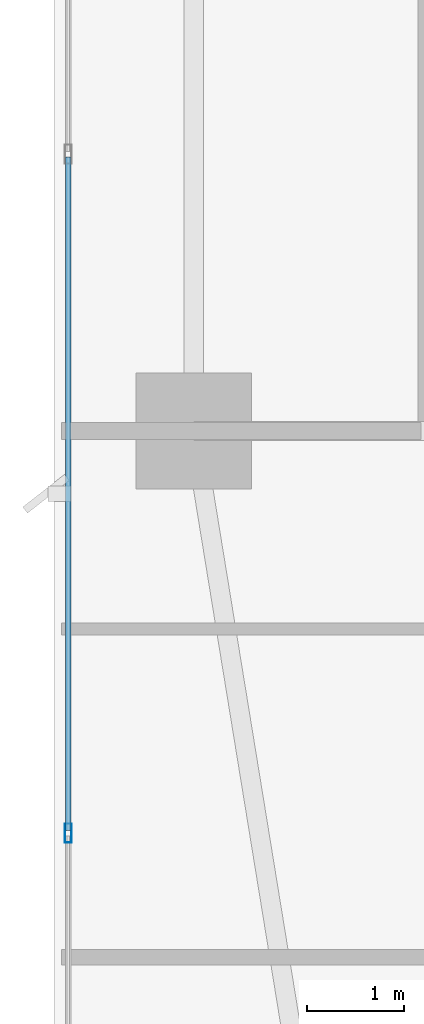
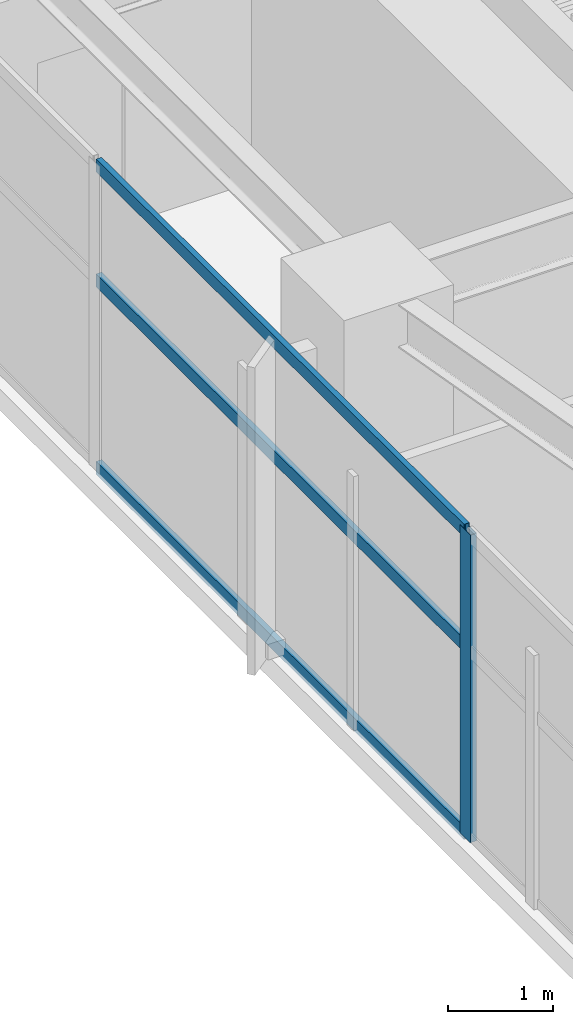
# One storey, part 4 of 29: 4 members, 1 element without a shape of its own.
"""IFC4 building model written with IfcOpenShell, lengths in metres."""

import ifcopenshell
import ifcopenshell.guid

model = None  # the IFC model being written
_history = None  # IfcOwnerHistory: only IFC2X3 demands one
_inside = {}  # id of a spatial element -> (the spatial element, [elements in it])
_under = {}  # id of a project, library or spatial element -> (it, [spatial elements below it])
_declared = {}  # id of a project -> (the project, [libraries it declares])
_typed = {}  # id of a type object -> (the type object, [elements of that type])
_made_of = {}  # id of a material, layer set ... -> (it, [elements and type objects made of it])


def new_model(schema):
    """Start an empty IFC model of exactly this schema.

    Asked for "IFC4X3", IfcOpenShell would pick the latest addendum, in which some entities
    have other attributes; the version numbers below select the first issue.
    IFC2X3 requires an IfcOwnerHistory on every rooted entity: one is made here for all.
    """
    global model, _history
    if schema == "IFC4X3":
        model = ifcopenshell.file(schema_version=(4, 3, 0, 0))
    else:
        model = ifcopenshell.file(schema=schema)
    _inside.clear()
    _under.clear()
    _declared.clear()
    _typed.clear()
    _made_of.clear()
    _history = None
    if model.schema == "IFC2X3":
        org = make("IfcOrganization", Name="unknown")
        user = make(
            "IfcPersonAndOrganization",
            ThePerson=make("IfcPerson", FamilyName="unknown"),
            TheOrganization=org,
        )
        app = make(
            "IfcApplication",
            ApplicationDeveloper=org,
            Version="unknown",
            ApplicationFullName="unknown",
            ApplicationIdentifier="unknown",
        )
        _history = make(
            "IfcOwnerHistory",
            OwningUser=user,
            OwningApplication=app,
            ChangeAction="ADDED",
            CreationDate=0,
        )
    return model


def make(cls, **values):
    """One entity of the class cls with the attributes given. An attribute that is None is left unset."""
    return model.create_entity(
        cls, **{name: value for name, value in values.items() if value is not None}
    )


def rooted(cls, **values):
    """An entity with a GlobalId (a new one), such as an element, a storey or a relation."""
    return make(cls, GlobalId=ifcopenshell.guid.new(), OwnerHistory=_history, **values)


def si_unit(unit_type, name, prefix=None):
    """IfcSIUnit, for example si_unit("LENGTHUNIT", "METRE", prefix="MILLI")."""
    return make("IfcSIUnit", UnitType=unit_type, Prefix=prefix, Name=name)


def assignment(units):
    """IfcUnitAssignment: the units of a project."""
    return None if units is None else make("IfcUnitAssignment", Units=units)


def point(xyz):
    """IfcCartesianPoint."""
    return None if xyz is None else make("IfcCartesianPoint", Coordinates=xyz)


def direction(xyz):
    """IfcDirection."""
    return None if xyz is None else make("IfcDirection", DirectionRatios=xyz)


def frame(location, z_axis=None, x_axis=None):
    """IfcAxis2Placement3D, a coordinate frame: its origin and axes. An axis left out is left unset."""
    return make(
        "IfcAxis2Placement3D",
        Location=point(location),
        Axis=direction(z_axis),
        RefDirection=direction(x_axis),
    )


def frame_2d(location, x_axis=None):
    """IfcAxis2Placement2D, a coordinate frame in the plane: its origin and x axis."""
    return make(
        "IfcAxis2Placement2D", Location=point(location), RefDirection=direction(x_axis)
    )


def origin():
    """The frame at (0, 0, 0) with its axes left unset."""
    return frame((0.0, 0.0, 0.0))


def origin_2d():
    """The frame at (0, 0) in the plane with its x axis left unset."""
    return frame_2d((0.0, 0.0))


def place(relative_to, where):
    """IfcLocalPlacement: puts the frame where relative to a parent placement (None: the world)."""
    return make(
        "IfcLocalPlacement", PlacementRelTo=relative_to, RelativePlacement=where
    )


def context(
    kind, dimensions, precision=None, world=None, true_north=None, identifier=None
):
    """IfcGeometricRepresentationContext, for example the 3D "Model" context."""
    return make(
        "IfcGeometricRepresentationContext",
        ContextIdentifier=identifier,
        ContextType=kind,
        CoordinateSpaceDimension=dimensions,
        Precision=precision,
        WorldCoordinateSystem=world,
        TrueNorth=true_north,
    )


def subcontext(parent, identifier, kind, view, scale=None):
    """IfcGeometricRepresentationSubContext, for example "Body" below "Model"."""
    return make(
        "IfcGeometricRepresentationSubContext",
        ContextIdentifier=identifier,
        ContextType=kind,
        ParentContext=parent,
        TargetScale=scale,
        TargetView=view,
    )


def project(units=None, contexts=None):
    """IfcProject with its units and contexts."""
    return rooted(
        "IfcProject",
        Name="project",
        RepresentationContexts=contexts,
        UnitsInContext=assignment(units),
    )


def spatial(cls, under=None, at=None, **own):
    """A site, building, storey or space (cls), placed at a placement, below another one or the project."""
    s = rooted(cls, ObjectPlacement=at, **own)
    if under is not None:
        _under.setdefault(under.id(), (under, []))[1].append(s)
    return s


def profile(cls, at=None, kind="AREA", **sizes):
    """A parametric profile (cls). Its sizes go by their IFC names, for example OverallWidth=200.0."""
    return make(cls, ProfileType=kind, Position=at, **sizes)


def hollow_rectangle(**sizes):
    """IfcRectangleHollowProfileDef."""
    return profile("IfcRectangleHollowProfileDef", **sizes)


def extrude(swept, where, along, depth):
    """IfcExtrudedAreaSolid: the profile swept, set in the frame where, extruded along a direction by depth."""
    return make(
        "IfcExtrudedAreaSolid",
        SweptArea=swept,
        Position=where,
        ExtrudedDirection=direction(along),
        Depth=depth,
    )


def shape(context_of_items, identifier, shape_type, items):
    """IfcShapeRepresentation: the items that make up one representation, for example the "Body"."""
    return make(
        "IfcShapeRepresentation",
        ContextOfItems=context_of_items,
        RepresentationIdentifier=identifier,
        RepresentationType=shape_type,
        Items=items,
    )


def material(Name=None, Category=None):
    """IfcMaterial."""
    return make("IfcMaterial", Name=Name, Category=Category)


def layer(
    of_material, thickness, ventilated=None, Name=None, Category=None, Priority=None
):
    """IfcMaterialLayer: one layer of a wall or slab, of a material (None: an air gap)."""
    return make(
        "IfcMaterialLayer",
        Material=of_material,
        LayerThickness=thickness,
        IsVentilated=ventilated,
        Name=Name,
        Category=Category,
        Priority=Priority,
    )


def layer_set(layers, Name=None):
    """IfcMaterialLayerSet."""
    return make("IfcMaterialLayerSet", MaterialLayers=layers, LayerSetName=Name)


def material_profile(
    of_material, cross_section, Name=None, Category=None, Priority=None
):
    """IfcMaterialProfile: a cross section and its material."""
    return make(
        "IfcMaterialProfile",
        Name=Name,
        Material=of_material,
        Profile=cross_section,
        Priority=Priority,
        Category=Category,
    )


def profile_set(profiles, Name=None, composite=None):
    """IfcMaterialProfileSet."""
    return make(
        "IfcMaterialProfileSet",
        Name=Name,
        MaterialProfiles=profiles,
        CompositeProfile=composite,
    )


def made_of(thing, what):
    """Note that an element or type object is made of a material, layer set ...; save() writes the relation."""
    if what is not None:
        _made_of.setdefault(what.id(), (what, []))[1].append(thing)
    return thing


def type_object(cls, material=None, **own):
    """A type object (cls), such as IfcWallType, which elements share."""
    return made_of(rooted(cls, **own), material)


def element(
    cls,
    number,
    at=None,
    inside=None,
    cuts=None,
    type_object=None,
    material=None,
    context=None,
    identifier="Body",
    shape_type=None,
    held_by="IfcProductDefinitionShape",
    body=None,
    shapes=None,
    **own,
):
    """One element of the class cls, such as IfcWall. Its Tag is "e" and its number.

    at: its placement. inside: the storey or other place that contains it. cuts: it is an
    opening in that element (IfcRelVoidsElement). A single representation is given by context,
    identifier, shape_type and body (its items); several are given by shapes. held_by: the class
    of the entity that holds the representations. save() writes the other relations.
    """
    e = rooted(cls, Tag="e%d" % number, ObjectPlacement=at, **own)
    if body is not None:
        shapes = [shape(context, identifier, shape_type, body)]
    if shapes is not None:
        e.Representation = make(held_by, Representations=shapes)
    if inside is not None:
        _inside.setdefault(inside.id(), (inside, []))[1].append(e)
    if cuts is not None:
        rooted(
            "IfcRelVoidsElement", RelatingBuildingElement=cuts, RelatedOpeningElement=e
        )
    if type_object is not None:
        _typed.setdefault(type_object.id(), (type_object, []))[1].append(e)
    return made_of(e, material)


def aggregate(whole, parts):
    """IfcRelAggregates: a whole, such as a stair, and the parts it consists of."""
    return rooted("IfcRelAggregates", RelatingObject=whole, RelatedObjects=parts)


def save(model, path):
    """Write the relations noted so far, then the file.

    IfcRelAggregates (storeys below a building ...), IfcRelContainedInSpatialStructure (elements
    in a storey), IfcRelDefinesByType, IfcRelAssociatesMaterial and IfcRelDeclares: one each for
    every whole, place, type object, material and project.
    """
    for whole, parts in _under.values():
        aggregate(whole, parts)
    for where, things in _inside.values():
        rooted(
            "IfcRelContainedInSpatialStructure",
            RelatedElements=things,
            RelatingStructure=where,
        )
    for kind, things in _typed.values():
        rooted("IfcRelDefinesByType", RelatedObjects=things, RelatingType=kind)
    for what, things in _made_of.values():
        rooted("IfcRelAssociatesMaterial", RelatedObjects=things, RelatingMaterial=what)
    for by, libraries in _declared.values():
        rooted("IfcRelDeclares", RelatingContext=by, RelatedDefinitions=libraries)
    model.write(path)


model = new_model("IFC4")

# Units and contexts
model_context = context("Model", 3, precision=1e-05, world=origin(), true_north=direction((0.0, 1.0)))
body_context = subcontext(model_context, "Body", "Model", "MODEL_VIEW")
ifc_project = project(units=[si_unit("LENGTHUNIT", "METRE"), si_unit("AREAUNIT", "SQUARE_METRE"), si_unit("VOLUMEUNIT", "CUBIC_METRE"), si_unit("PLANEANGLEUNIT", "RADIAN"), si_unit("MASSUNIT", "GRAM", prefix="KILO")], contexts=[model_context])

# Site, building, storey
site_placement = place(None, origin())
site = spatial("IfcSite", under=ifc_project, at=site_placement, CompositionType="ELEMENT")
building_placement = place(site_placement, origin())
building = spatial("IfcBuilding", under=site, at=building_placement, Name="Calvorn Quay Hotel", CompositionType="ELEMENT")
storey_placement = place(building_placement, frame((0.0, 0.0, 171.300048828125)))
storey = spatial("IfcBuildingStorey", under=building, at=storey_placement, Name="L42", CompositionType="ELEMENT", Elevation=171.300048828125)

# Curtain wall, members
ifc_material_1 = material(Name="Pale Anodised Aluminium and Low-E Glass", Category="aluminium")
ifc_layer = layer(ifc_material_1, 0.219970703125)
ifc_layer_set = layer_set([ifc_layer], Name="CW-SYS-Z2")
curtain_wall_type = type_object("IfcCurtainWallType", Name="CW-SYS-Z2", PredefinedType="NOTDEFINED", material=ifc_layer_set)
curtain_wall_placement = place(storey_placement, origin())
curtain_wall = element("IfcCurtainWall", 1, at=curtain_wall_placement, inside=storey, type_object=curtain_wall_type, Name="Tower West Curtain Wall (L42)", PredefinedType="NOTDEFINED")
ifc_material_2 = material(Name="Pale Anodised Aluminium 6063-T6", Category="aluminium")
ifc_material_profile_1 = material_profile(ifc_material_2, hollow_rectangle(XDim=0.070068359375, YDim=0.199951171875, WallThickness=0.00390625, at=origin_2d()), Name="ALU-M200x70x4")
ifc_profile_set_1 = profile_set([ifc_material_profile_1], Name="Pale Anodised Aluminium 6063-T6")
member_type_1 = type_object("IfcMemberType", Name="CW-SYS-Z2-MUL", PredefinedType="MULLION", material=ifc_profile_set_1)
member_1_placement = place(storey_placement, frame((0.14990234375, 12.63330078125, 0.0), z_axis=(0.0, 0.0, 1.0), x_axis=(-1.0, 0.0, 0.0)))
member_1 = element("IfcMember", 2, at=member_1_placement, type_object=member_type_1, Name="CW-L42-W mullion 2", PredefinedType="MULLION", context=body_context, shape_type="SweptSolid", body=[
    extrude(hollow_rectangle(XDim=0.070068359375, YDim=0.199951171875, WallThickness=0.00390625, at=origin_2d()), origin(), (0.0, 0.0, 1.0), 3.56005859375),
])
ifc_material_3 = material(Name="Pale Anodised Aluminium 6063-T6", Category="aluminium")
ifc_material_profile_2 = material_profile(ifc_material_3, hollow_rectangle(XDim=0.06005859375, YDim=0.14990234375, WallThickness=0.00341796875, at=origin_2d()), Name="ALU-T150x60x3.5")
ifc_profile_set_2 = profile_set([ifc_material_profile_2], Name="Pale Anodised Aluminium 6063-T6")
member_type_2 = type_object("IfcMemberType", Name="CW-SYS-Z2-TRN", PredefinedType="USERDEFINED", material=ifc_profile_set_2)
member_2_placement = place(storey_placement, frame((0.14990234375, 12.663330078125, 0.030029296875), z_axis=(0.0, 1.0, 0.0), x_axis=(-1.0, 0.0, 0.0)))
member_2 = element("IfcMember", 3, at=member_2_placement, type_object=member_type_2, Name="CW-L42-W transom 2.1", ObjectType="TRANSOM", PredefinedType="USERDEFINED", context=body_context, shape_type="SweptSolid", body=[
    extrude(hollow_rectangle(XDim=0.06005859375, YDim=0.14990234375, WallThickness=0.00341796875, at=origin_2d()), origin(), (0.0, 0.0, 1.0), 6.973388671875),
])
member_3_placement = place(storey_placement, frame((0.14990234375, 12.663330078125, 2.199951171875), z_axis=(0.0, 1.0, 0.0), x_axis=(-1.0, 0.0, 0.0)))
member_3 = element("IfcMember", 4, at=member_3_placement, type_object=member_type_2, Name="CW-L42-W transom 2.2", ObjectType="TRANSOM", PredefinedType="USERDEFINED", context=body_context, shape_type="SweptSolid", body=[
    extrude(hollow_rectangle(XDim=0.06005859375, YDim=0.14990234375, WallThickness=0.00341796875, at=origin_2d()), origin(), (0.0, 0.0, 1.0), 6.973388671875),
])
member_4_placement = place(storey_placement, frame((0.14990234375, 12.663330078125, 3.530029296875), z_axis=(0.0, 1.0, 0.0), x_axis=(-1.0, 0.0, 0.0)))
member_4 = element("IfcMember", 5, at=member_4_placement, type_object=member_type_2, Name="CW-L42-W transom 2.3", ObjectType="TRANSOM", PredefinedType="USERDEFINED", context=body_context, shape_type="SweptSolid", body=[
    extrude(hollow_rectangle(XDim=0.06005859375, YDim=0.14990234375, WallThickness=0.00341796875, at=origin_2d()), origin(), (0.0, 0.0, 1.0), 6.973388671875),
])
aggregate(curtain_wall, [member_1, member_2, member_3, member_4])

save(model, "model.ifc")
